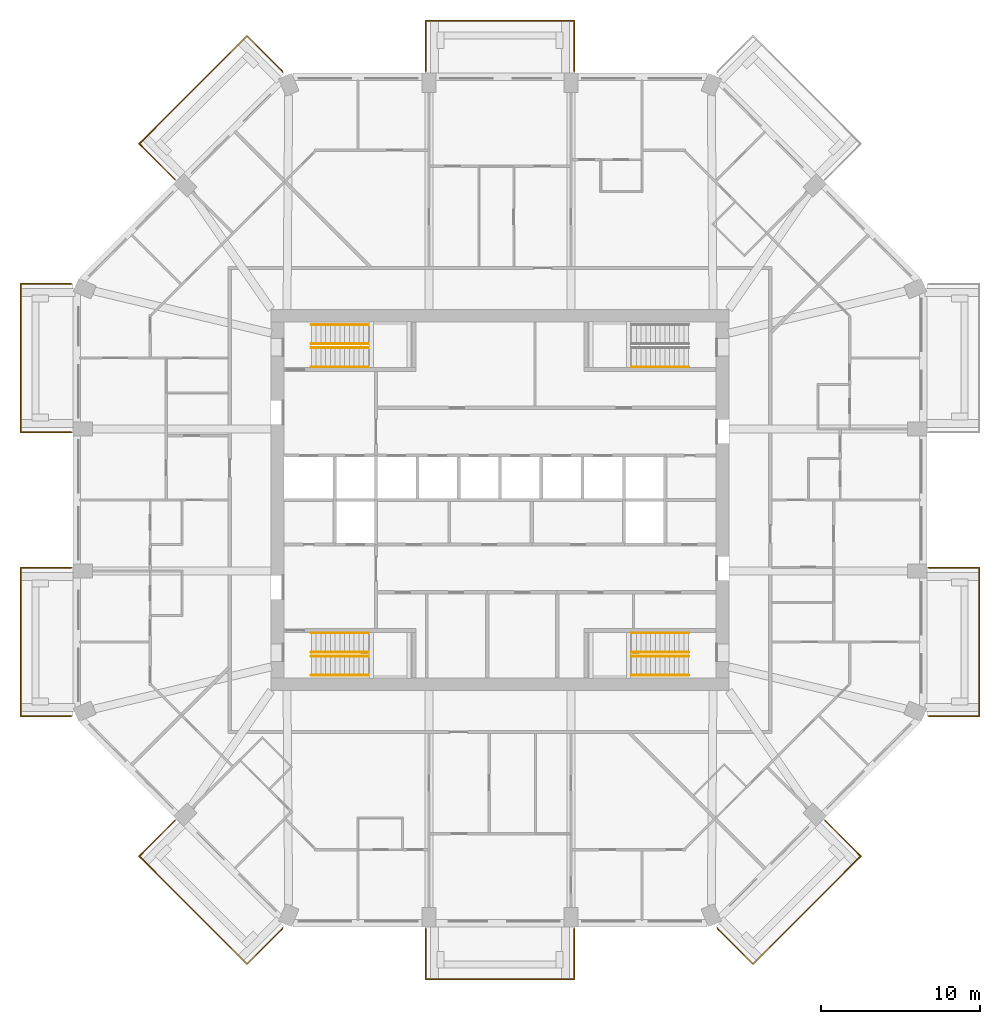
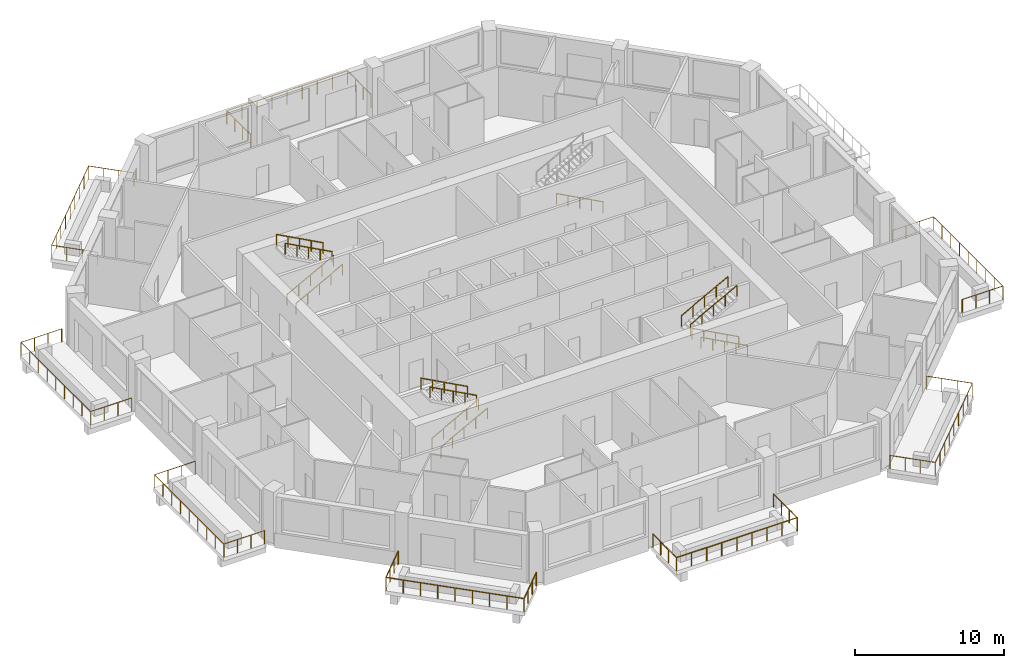
# One storey, part 12 of 13: 21 railings.
"""IFC4 building model written with IfcOpenShell, lengths in metres."""

from ifc_helpers import new_model, si_unit, direction, frame, origin, origin_2d, place, context, subcontext, project, spatial, circle, extrude, material, constituent, constituent_set, type_object, element, save


model = new_model("IFC4")

# Units and contexts
model_context = context("Model", 3, precision=1e-05, world=origin(), true_north=direction((0.0, 1.0)))
body_context = subcontext(model_context, "Body", "Model", "MODEL_VIEW")
ifc_project = project(units=[si_unit("LENGTHUNIT", "METRE"), si_unit("AREAUNIT", "SQUARE_METRE"), si_unit("VOLUMEUNIT", "CUBIC_METRE"), si_unit("PLANEANGLEUNIT", "RADIAN"), si_unit("MASSUNIT", "GRAM", prefix="KILO")], contexts=[model_context])

# Site, building, storey
site_placement = place(None, origin())
site = spatial("IfcSite", under=ifc_project, at=site_placement, CompositionType="ELEMENT")
building_placement = place(site_placement, origin())
building = spatial("IfcBuilding", under=site, at=building_placement, Name="Msitu Wima Residences", CompositionType="ELEMENT")
storey_placement = place(building_placement, frame((0.0, 0.0, 135.89990234375)))
storey = spatial("IfcBuildingStorey", under=building, at=storey_placement, Name="L31", CompositionType="ELEMENT", Elevation=135.89990234375)

# Railings
ifc_material_1 = material(Name="Steel S355", Category="steel")
ifc_constituent_1 = constituent(ifc_material_1, Name="Steel S355")
ifc_material_2 = material(Name="Weathering patina")
ifc_constituent_2 = constituent(ifc_material_2, Name="Weathering patina")
ifc_constituent_set_1 = constituent_set(constituents=[ifc_constituent_1, ifc_constituent_2], Name="Steel S355")
railing_type_1 = type_object("IfcRailingType", Name="Balcony guard GR1100", PredefinedType="GUARDRAIL", material=ifc_constituent_set_1)
railing_1_placement = place(storey_placement, frame((26.97998046875, -4.2685546875, 0.0)))
element("IfcRailing", 1, at=railing_1_placement, inside=storey, type_object=railing_type_1, Name="Balcony guard E0 L31", PredefinedType="GUARDRAIL", context=body_context, shape_type="SweptSolid", body=[
    extrude(circle(Radius=0.02392578125, at=origin_2d()), frame((0.0, 0.0, 1.076171875), z_axis=(1.0, 0.0, 0.0), x_axis=(0.0, 1.0, 0.0)), (0.0, 0.0, 1.0), 3.169921875),
    extrude(circle(Radius=0.02392578125, at=origin_2d()), frame((3.169921875, 0.0, 1.076171875), z_axis=(0.0, -1.0, 0.0), x_axis=(1.0, 0.0, 0.0)), (0.0, 0.0, 1.0), 9.33740234375),
    extrude(circle(Radius=0.02392578125, at=origin_2d()), frame((3.169921875, -9.33740234375, 1.076171875), z_axis=(-1.0, 0.0, 0.0), x_axis=(0.0, -1.0, 0.0)), (0.0, 0.0, 1.0), 3.136474609375),
    extrude(circle(Radius=0.02392578125, at=origin_2d()), frame((0.033447265625, -9.33740234375, 1.076171875), z_axis=(-0.923276184907, 0.384136806859, 0.0), x_axis=(-0.384136806859, -0.923276184907, 0.0)), (0.0, 0.0, 1.0), 0.0361328125),
    extrude(circle(Radius=0.02099609375, at=origin_2d()), origin(), (0.0, 0.0, 1.0), 1.052001953125),
    extrude(circle(Radius=0.02099609375, at=origin_2d()), frame((1.056640625, 0.0, 0.0)), (0.0, 0.0, 1.0), 1.052001953125),
    extrude(circle(Radius=0.02099609375, at=origin_2d()), frame((2.11328125, 0.0, 0.0)), (0.0, 0.0, 1.0), 1.052001953125),
    extrude(circle(Radius=0.02099609375, at=origin_2d()), frame((3.169921875, 0.0, 0.0)), (0.0, 0.0, 1.0), 1.052001953125),
    extrude(circle(Radius=0.02099609375, at=origin_2d()), frame((3.169921875, -1.167236328125, 0.0)), (0.0, 0.0, 1.0), 1.052001953125),
    extrude(circle(Radius=0.02099609375, at=origin_2d()), frame((3.169921875, -2.33447265625, 0.0)), (0.0, 0.0, 1.0), 1.052001953125),
    extrude(circle(Radius=0.02099609375, at=origin_2d()), frame((3.169921875, -3.50146484375, 0.0)), (0.0, 0.0, 1.0), 1.052001953125),
    extrude(circle(Radius=0.02099609375, at=origin_2d()), frame((3.169921875, -4.668701171875, 0.0)), (0.0, 0.0, 1.0), 1.052001953125),
    extrude(circle(Radius=0.02099609375, at=origin_2d()), frame((3.169921875, -5.8359375, 0.0)), (0.0, 0.0, 1.0), 1.052001953125),
    extrude(circle(Radius=0.02099609375, at=origin_2d()), frame((3.169921875, -7.0029296875, 0.0)), (0.0, 0.0, 1.0), 1.052001953125),
    extrude(circle(Radius=0.02099609375, at=origin_2d()), frame((3.169921875, -8.170166015625, 0.0)), (0.0, 0.0, 1.0), 1.052001953125),
    extrude(circle(Radius=0.02099609375, at=origin_2d()), frame((3.169921875, -9.33740234375, 0.0)), (0.0, 0.0, 1.0), 1.052001953125),
    extrude(circle(Radius=0.02099609375, at=origin_2d()), frame((2.12451171875, -9.33740234375, 0.0)), (0.0, 0.0, 1.0), 1.052001953125),
    extrude(circle(Radius=0.02099609375, at=origin_2d()), frame((1.078857421875, -9.33740234375, 0.0)), (0.0, 0.0, 1.0), 1.052001953125),
    extrude(circle(Radius=0.02099609375, at=origin_2d()), frame((0.033447265625, -9.33740234375, 0.0)), (0.0, 0.0, 1.0), 1.052001953125),
    extrude(circle(Radius=0.02099609375, at=origin_2d()), frame((0.0, -9.323486328125, 0.0)), (0.0, 0.0, 1.0), 1.052001953125),
])
railing_2_placement = place(storey_placement, frame((-4.668701171875, 26.97998046875, 0.0)))
element("IfcRailing", 2, at=railing_2_placement, inside=storey, type_object=railing_type_1, Name="Balcony guard N1 L31", PredefinedType="GUARDRAIL", context=body_context, shape_type="SweptSolid", body=[
    extrude(circle(Radius=0.02392578125, at=origin_2d()), frame((0.0, 0.0, 1.076171875), z_axis=(0.0, 1.0, 0.0), x_axis=(-1.0, 0.0, 0.0)), (0.0, 0.0, 1.0), 3.169921875),
    extrude(circle(Radius=0.02392578125, at=origin_2d()), frame((0.0, 3.169921875, 1.076171875), z_axis=(1.0, 0.0, 0.0), x_axis=(0.0, 1.0, 0.0)), (0.0, 0.0, 1.0), 9.33740234375),
    extrude(circle(Radius=0.02392578125, at=origin_2d()), frame((9.33740234375, 3.169921875, 1.076171875), z_axis=(0.0, -1.0, 0.0), x_axis=(1.0, 0.0, 0.0)), (0.0, 0.0, 1.0), 3.169921875),
    extrude(circle(Radius=0.02099609375, at=origin_2d()), origin(), (0.0, 0.0, 1.0), 1.052001953125),
    extrude(circle(Radius=0.02099609375, at=origin_2d()), frame((0.0, 1.056640625, 0.0)), (0.0, 0.0, 1.0), 1.052001953125),
    extrude(circle(Radius=0.02099609375, at=origin_2d()), frame((0.0, 2.11328125, 0.0)), (0.0, 0.0, 1.0), 1.052001953125),
    extrude(circle(Radius=0.02099609375, at=origin_2d()), frame((0.0, 3.169921875, 0.0)), (0.0, 0.0, 1.0), 1.052001953125),
    extrude(circle(Radius=0.02099609375, at=origin_2d()), frame((1.167236328125, 3.169921875, 0.0)), (0.0, 0.0, 1.0), 1.052001953125),
    extrude(circle(Radius=0.02099609375, at=origin_2d()), frame((2.33447265625, 3.169921875, 0.0)), (0.0, 0.0, 1.0), 1.052001953125),
    extrude(circle(Radius=0.02099609375, at=origin_2d()), frame((3.50146484375, 3.169921875, 0.0)), (0.0, 0.0, 1.0), 1.052001953125),
    extrude(circle(Radius=0.02099609375, at=origin_2d()), frame((4.668701171875, 3.169921875, 0.0)), (0.0, 0.0, 1.0), 1.052001953125),
    extrude(circle(Radius=0.02099609375, at=origin_2d()), frame((5.8359375, 3.169921875, 0.0)), (0.0, 0.0, 1.0), 1.052001953125),
    extrude(circle(Radius=0.02099609375, at=origin_2d()), frame((7.0029296875, 3.169921875, 0.0)), (0.0, 0.0, 1.0), 1.052001953125),
    extrude(circle(Radius=0.02099609375, at=origin_2d()), frame((8.170166015625, 3.169921875, 0.0)), (0.0, 0.0, 1.0), 1.052001953125),
    extrude(circle(Radius=0.02099609375, at=origin_2d()), frame((9.33740234375, 3.169921875, 0.0)), (0.0, 0.0, 1.0), 1.052001953125),
    extrude(circle(Radius=0.02099609375, at=origin_2d()), frame((9.33740234375, 2.11328125, 0.0)), (0.0, 0.0, 1.0), 1.052001953125),
    extrude(circle(Radius=0.02099609375, at=origin_2d()), frame((9.33740234375, 1.056640625, 0.0)), (0.0, 0.0, 1.0), 1.052001953125),
    extrude(circle(Radius=0.02099609375, at=origin_2d()), frame((9.33740234375, 0.0, 0.0)), (0.0, 0.0, 1.0), 1.052001953125),
])
railing_3_placement = place(storey_placement, frame((-20.45458984375, 20.171630859375, 0.0)))
element("IfcRailing", 3, at=railing_3_placement, inside=storey, type_object=railing_type_1, Name="Balcony guard NW0 L31", PredefinedType="GUARDRAIL", context=body_context, shape_type="SweptSolid", body=[
    extrude(circle(Radius=0.02392578125, at=origin_2d()), frame((0.0, 0.0, 1.076171875), z_axis=(-0.707106781187, 0.707106781187, 0.0), x_axis=(-0.707106781187, -0.707106781187, 0.0)), (0.0, 0.0, 1.0), 3.169921875),
    extrude(circle(Radius=0.02392578125, at=origin_2d()), frame((-2.241455078125, 2.241455078125, 1.076171875), z_axis=(0.707106781187, 0.707106781187, 0.0), x_axis=(-0.707106781187, 0.707106781187, 0.0)), (0.0, 0.0, 1.0), 9.58837890625),
    extrude(circle(Radius=0.02392578125, at=origin_2d()), frame((4.53857421875, 9.021484375, 1.076171875), z_axis=(0.707106781187, -0.707106781187, 0.0), x_axis=(0.707106781187, 0.707106781187, 0.0)), (0.0, 0.0, 1.0), 3.136474609375),
    extrude(circle(Radius=0.02392578125, at=origin_2d()), frame((6.75634765625, 6.8037109375, 1.076171875), z_axis=(0.38176015442, -0.92426142649, 0.0), x_axis=(0.92426142649, 0.38176015442, 0.0)), (0.0, 0.0, 1.0), 0.036376953125),
    extrude(circle(Radius=0.02099609375, at=origin_2d()), origin(), (0.0, 0.0, 1.0), 1.052001953125),
    extrude(circle(Radius=0.02099609375, at=origin_2d()), frame((-0.7470703125, 0.7470703125, 0.0)), (0.0, 0.0, 1.0), 1.052001953125),
    extrude(circle(Radius=0.02099609375, at=origin_2d()), frame((-1.494384765625, 1.494384765625, 0.0)), (0.0, 0.0, 1.0), 1.052001953125),
    extrude(circle(Radius=0.02099609375, at=origin_2d()), frame((-2.241455078125, 2.241455078125, 0.0)), (0.0, 0.0, 1.0), 1.052001953125),
    extrude(circle(Radius=0.02099609375, at=origin_2d()), frame((-1.39404296875, 3.0888671875, 0.0)), (0.0, 0.0, 1.0), 1.052001953125),
    extrude(circle(Radius=0.02099609375, at=origin_2d()), frame((-0.54638671875, 3.9365234375, 0.0)), (0.0, 0.0, 1.0), 1.052001953125),
    extrude(circle(Radius=0.02099609375, at=origin_2d()), frame((0.301025390625, 4.783935546875, 0.0)), (0.0, 0.0, 1.0), 1.052001953125),
    extrude(circle(Radius=0.02099609375, at=origin_2d()), frame((1.1484375, 5.63134765625, 0.0)), (0.0, 0.0, 1.0), 1.052001953125),
    extrude(circle(Radius=0.02099609375, at=origin_2d()), frame((1.99609375, 6.47900390625, 0.0)), (0.0, 0.0, 1.0), 1.052001953125),
    extrude(circle(Radius=0.02099609375, at=origin_2d()), frame((2.843505859375, 7.326416015625, 0.0)), (0.0, 0.0, 1.0), 1.052001953125),
    extrude(circle(Radius=0.02099609375, at=origin_2d()), frame((3.691162109375, 8.174072265625, 0.0)), (0.0, 0.0, 1.0), 1.052001953125),
    extrude(circle(Radius=0.02099609375, at=origin_2d()), frame((4.53857421875, 9.021484375, 0.0)), (0.0, 0.0, 1.0), 1.052001953125),
    extrude(circle(Radius=0.02099609375, at=origin_2d()), frame((5.27783203125, 8.2822265625, 0.0)), (0.0, 0.0, 1.0), 1.052001953125),
    extrude(circle(Radius=0.02099609375, at=origin_2d()), frame((6.01708984375, 7.54296875, 0.0)), (0.0, 0.0, 1.0), 1.052001953125),
    extrude(circle(Radius=0.02099609375, at=origin_2d()), frame((6.75634765625, 6.8037109375, 0.0)), (0.0, 0.0, 1.0), 1.052001953125),
    extrude(circle(Radius=0.02099609375, at=origin_2d()), frame((6.770263671875, 6.77001953125, 0.0)), (0.0, 0.0, 1.0), 1.052001953125),
])
railing_4_placement = place(storey_placement, frame((-26.97998046875, 4.2685546875, 0.0)))
element("IfcRailing", 4, at=railing_4_placement, inside=storey, type_object=railing_type_1, Name="Balcony guard W0 L31", PredefinedType="GUARDRAIL", context=body_context, shape_type="SweptSolid", body=[
    extrude(circle(Radius=0.02392578125, at=origin_2d()), frame((0.0, 0.0, 1.076171875), z_axis=(-1.0, 0.0, 0.0), x_axis=(0.0, -1.0, 0.0)), (0.0, 0.0, 1.0), 3.169921875),
    extrude(circle(Radius=0.02392578125, at=origin_2d()), frame((-3.169921875, 0.0, 1.076171875), z_axis=(0.0, 1.0, 0.0), x_axis=(-1.0, 0.0, 0.0)), (0.0, 0.0, 1.0), 9.33740234375),
    extrude(circle(Radius=0.02392578125, at=origin_2d()), frame((-3.169921875, 9.33740234375, 1.076171875), z_axis=(1.0, 0.0, 0.0), x_axis=(0.0, 1.0, 0.0)), (0.0, 0.0, 1.0), 3.136474609375),
    extrude(circle(Radius=0.02392578125, at=origin_2d()), frame((-0.033447265625, 9.33740234375, 1.076171875), z_axis=(0.923276184907, -0.384136806859, 0.0), x_axis=(0.384136806859, 0.923276184907, 0.0)), (0.0, 0.0, 1.0), 0.0361328125),
    extrude(circle(Radius=0.02099609375, at=origin_2d()), origin(), (0.0, 0.0, 1.0), 1.052001953125),
    extrude(circle(Radius=0.02099609375, at=origin_2d()), frame((-1.056640625, 0.0, 0.0)), (0.0, 0.0, 1.0), 1.052001953125),
    extrude(circle(Radius=0.02099609375, at=origin_2d()), frame((-2.11328125, 0.0, 0.0)), (0.0, 0.0, 1.0), 1.052001953125),
    extrude(circle(Radius=0.02099609375, at=origin_2d()), frame((-3.169921875, 0.0, 0.0)), (0.0, 0.0, 1.0), 1.052001953125),
    extrude(circle(Radius=0.02099609375, at=origin_2d()), frame((-3.169921875, 1.167236328125, 0.0)), (0.0, 0.0, 1.0), 1.052001953125),
    extrude(circle(Radius=0.02099609375, at=origin_2d()), frame((-3.169921875, 2.33447265625, 0.0)), (0.0, 0.0, 1.0), 1.052001953125),
    extrude(circle(Radius=0.02099609375, at=origin_2d()), frame((-3.169921875, 3.50146484375, 0.0)), (0.0, 0.0, 1.0), 1.052001953125),
    extrude(circle(Radius=0.02099609375, at=origin_2d()), frame((-3.169921875, 4.668701171875, 0.0)), (0.0, 0.0, 1.0), 1.052001953125),
    extrude(circle(Radius=0.02099609375, at=origin_2d()), frame((-3.169921875, 5.8359375, 0.0)), (0.0, 0.0, 1.0), 1.052001953125),
    extrude(circle(Radius=0.02099609375, at=origin_2d()), frame((-3.169921875, 7.0029296875, 0.0)), (0.0, 0.0, 1.0), 1.052001953125),
    extrude(circle(Radius=0.02099609375, at=origin_2d()), frame((-3.169921875, 8.170166015625, 0.0)), (0.0, 0.0, 1.0), 1.052001953125),
    extrude(circle(Radius=0.02099609375, at=origin_2d()), frame((-3.169921875, 9.33740234375, 0.0)), (0.0, 0.0, 1.0), 1.052001953125),
    extrude(circle(Radius=0.02099609375, at=origin_2d()), frame((-2.12451171875, 9.33740234375, 0.0)), (0.0, 0.0, 1.0), 1.052001953125),
    extrude(circle(Radius=0.02099609375, at=origin_2d()), frame((-1.078857421875, 9.33740234375, 0.0)), (0.0, 0.0, 1.0), 1.052001953125),
    extrude(circle(Radius=0.02099609375, at=origin_2d()), frame((-0.033447265625, 9.33740234375, 0.0)), (0.0, 0.0, 1.0), 1.052001953125),
    extrude(circle(Radius=0.02099609375, at=origin_2d()), frame((0.0, 9.323486328125, 0.0)), (0.0, 0.0, 1.0), 1.052001953125),
])
railing_5_placement = place(storey_placement, frame((-26.97998046875, -13.592041015625, 0.0)))
element("IfcRailing", 5, at=railing_5_placement, inside=storey, type_object=railing_type_1, Name="Balcony guard W2 L31", PredefinedType="GUARDRAIL", context=body_context, shape_type="SweptSolid", body=[
    extrude(circle(Radius=0.02392578125, at=origin_2d()), frame((0.0, 0.0, 1.076171875), z_axis=(-0.923276184907, -0.384136806859, 0.0), x_axis=(0.384136806859, -0.923276184907, 0.0)), (0.0, 0.0, 1.0), 0.0361328125),
    extrude(circle(Radius=0.02392578125, at=origin_2d()), frame((-0.033447265625, -0.013916015625, 1.076171875), z_axis=(-1.0, 0.0, 0.0), x_axis=(0.0, -1.0, 0.0)), (0.0, 0.0, 1.0), 3.136474609375),
    extrude(circle(Radius=0.02392578125, at=origin_2d()), frame((-3.169921875, -0.013916015625, 1.076171875), z_axis=(0.0, 1.0, 0.0), x_axis=(-1.0, 0.0, 0.0)), (0.0, 0.0, 1.0), 9.33740234375),
    extrude(circle(Radius=0.02392578125, at=origin_2d()), frame((-3.169921875, 9.323486328125, 1.076171875), z_axis=(1.0, 0.0, 0.0), x_axis=(0.0, 1.0, 0.0)), (0.0, 0.0, 1.0), 3.169921875),
    extrude(circle(Radius=0.02099609375, at=origin_2d()), origin(), (0.0, 0.0, 1.0), 1.052001953125),
    extrude(circle(Radius=0.02099609375, at=origin_2d()), frame((-0.033447265625, -0.013916015625, 0.0)), (0.0, 0.0, 1.0), 1.052001953125),
    extrude(circle(Radius=0.02099609375, at=origin_2d()), frame((-1.078857421875, -0.013916015625, 0.0)), (0.0, 0.0, 1.0), 1.052001953125),
    extrude(circle(Radius=0.02099609375, at=origin_2d()), frame((-2.12451171875, -0.013916015625, 0.0)), (0.0, 0.0, 1.0), 1.052001953125),
    extrude(circle(Radius=0.02099609375, at=origin_2d()), frame((-3.169921875, -0.013916015625, 0.0)), (0.0, 0.0, 1.0), 1.052001953125),
    extrude(circle(Radius=0.02099609375, at=origin_2d()), frame((-3.169921875, 1.1533203125, 0.0)), (0.0, 0.0, 1.0), 1.052001953125),
    extrude(circle(Radius=0.02099609375, at=origin_2d()), frame((-3.169921875, 2.3203125, 0.0)), (0.0, 0.0, 1.0), 1.052001953125),
    extrude(circle(Radius=0.02099609375, at=origin_2d()), frame((-3.169921875, 3.487548828125, 0.0)), (0.0, 0.0, 1.0), 1.052001953125),
    extrude(circle(Radius=0.02099609375, at=origin_2d()), frame((-3.169921875, 4.65478515625, 0.0)), (0.0, 0.0, 1.0), 1.052001953125),
    extrude(circle(Radius=0.02099609375, at=origin_2d()), frame((-3.169921875, 5.822021484375, 0.0)), (0.0, 0.0, 1.0), 1.052001953125),
    extrude(circle(Radius=0.02099609375, at=origin_2d()), frame((-3.169921875, 6.9892578125, 0.0)), (0.0, 0.0, 1.0), 1.052001953125),
    extrude(circle(Radius=0.02099609375, at=origin_2d()), frame((-3.169921875, 8.15625, 0.0)), (0.0, 0.0, 1.0), 1.052001953125),
    extrude(circle(Radius=0.02099609375, at=origin_2d()), frame((-3.169921875, 9.323486328125, 0.0)), (0.0, 0.0, 1.0), 1.052001953125),
    extrude(circle(Radius=0.02099609375, at=origin_2d()), frame((-2.11328125, 9.323486328125, 0.0)), (0.0, 0.0, 1.0), 1.052001953125),
    extrude(circle(Radius=0.02099609375, at=origin_2d()), frame((-1.056640625, 9.323486328125, 0.0)), (0.0, 0.0, 1.0), 1.052001953125),
    extrude(circle(Radius=0.02099609375, at=origin_2d()), frame((0.0, 9.323486328125, 0.0)), (0.0, 0.0, 1.0), 1.052001953125),
])
railing_6_placement = place(storey_placement, frame((-13.684326171875, -26.941650390625, 0.0)))
element("IfcRailing", 6, at=railing_6_placement, inside=storey, type_object=railing_type_1, Name="Balcony guard SW1 L31", PredefinedType="GUARDRAIL", context=body_context, shape_type="SweptSolid", body=[
    extrude(circle(Radius=0.02392578125, at=origin_2d()), frame((0.0, 0.0, 1.076171875), z_axis=(-0.38176015442, -0.92426142649, 0.0), x_axis=(0.92426142649, -0.38176015442, 0.0)), (0.0, 0.0, 1.0), 0.036376953125),
    extrude(circle(Radius=0.02392578125, at=origin_2d()), frame((-0.013916015625, -0.03369140625, 1.076171875), z_axis=(-0.707106781187, -0.707106781187, 0.0), x_axis=(0.707106781187, -0.707106781187, 0.0)), (0.0, 0.0, 1.0), 3.136474609375),
    extrude(circle(Radius=0.02392578125, at=origin_2d()), frame((-2.231689453125, -2.25146484375, 1.076171875), z_axis=(-0.707106781187, 0.707106781187, 0.0), x_axis=(-0.707106781187, -0.707106781187, 0.0)), (0.0, 0.0, 1.0), 9.58837890625),
    extrude(circle(Radius=0.02392578125, at=origin_2d()), frame((-9.01171875, 4.528564453125, 1.076171875), z_axis=(0.707106781187, 0.707106781187, 0.0), x_axis=(-0.707106781187, 0.707106781187, 0.0)), (0.0, 0.0, 1.0), 3.169921875),
    extrude(circle(Radius=0.02099609375, at=origin_2d()), origin(), (0.0, 0.0, 1.0), 1.052001953125),
    extrude(circle(Radius=0.02099609375, at=origin_2d()), frame((-0.013916015625, -0.03369140625, 0.0)), (0.0, 0.0, 1.0), 1.052001953125),
    extrude(circle(Radius=0.02099609375, at=origin_2d()), frame((-0.753173828125, -0.77294921875, 0.0)), (0.0, 0.0, 1.0), 1.052001953125),
    extrude(circle(Radius=0.02099609375, at=origin_2d()), frame((-1.492431640625, -1.51220703125, 0.0)), (0.0, 0.0, 1.0), 1.052001953125),
    extrude(circle(Radius=0.02099609375, at=origin_2d()), frame((-2.231689453125, -2.25146484375, 0.0)), (0.0, 0.0, 1.0), 1.052001953125),
    extrude(circle(Radius=0.02099609375, at=origin_2d()), frame((-3.0791015625, -1.404052734375, 0.0)), (0.0, 0.0, 1.0), 1.052001953125),
    extrude(circle(Radius=0.02099609375, at=origin_2d()), frame((-3.9267578125, -0.556396484375, 0.0)), (0.0, 0.0, 1.0), 1.052001953125),
    extrude(circle(Radius=0.02099609375, at=origin_2d()), frame((-4.774169921875, 0.291015625, 0.0)), (0.0, 0.0, 1.0), 1.052001953125),
    extrude(circle(Radius=0.02099609375, at=origin_2d()), frame((-5.62158203125, 1.138671875, 0.0)), (0.0, 0.0, 1.0), 1.052001953125),
    extrude(circle(Radius=0.02099609375, at=origin_2d()), frame((-6.46923828125, 1.986083984375, 0.0)), (0.0, 0.0, 1.0), 1.052001953125),
    extrude(circle(Radius=0.02099609375, at=origin_2d()), frame((-7.316650390625, 2.83349609375, 0.0)), (0.0, 0.0, 1.0), 1.052001953125),
    extrude(circle(Radius=0.02099609375, at=origin_2d()), frame((-8.164306640625, 3.68115234375, 0.0)), (0.0, 0.0, 1.0), 1.052001953125),
    extrude(circle(Radius=0.02099609375, at=origin_2d()), frame((-9.01171875, 4.528564453125, 0.0)), (0.0, 0.0, 1.0), 1.052001953125),
    extrude(circle(Radius=0.02099609375, at=origin_2d()), frame((-8.2646484375, 5.275634765625, 0.0)), (0.0, 0.0, 1.0), 1.052001953125),
    extrude(circle(Radius=0.02099609375, at=origin_2d()), frame((-7.517333984375, 6.02294921875, 0.0)), (0.0, 0.0, 1.0), 1.052001953125),
    extrude(circle(Radius=0.02099609375, at=origin_2d()), frame((-6.770263671875, 6.77001953125, 0.0)), (0.0, 0.0, 1.0), 1.052001953125),
])
railing_7_placement = place(storey_placement, frame((4.668701171875, -26.97998046875, 0.0)))
element("IfcRailing", 7, at=railing_7_placement, inside=storey, type_object=railing_type_1, Name="Balcony guard S1 L31", PredefinedType="GUARDRAIL", context=body_context, shape_type="SweptSolid", body=[
    extrude(circle(Radius=0.02392578125, at=origin_2d()), frame((0.0, 0.0, 1.076171875), z_axis=(0.0, -1.0, 0.0), x_axis=(1.0, 0.0, 0.0)), (0.0, 0.0, 1.0), 3.169921875),
    extrude(circle(Radius=0.02392578125, at=origin_2d()), frame((0.0, -3.169921875, 1.076171875), z_axis=(-1.0, 0.0, 0.0), x_axis=(0.0, -1.0, 0.0)), (0.0, 0.0, 1.0), 9.33740234375),
    extrude(circle(Radius=0.02392578125, at=origin_2d()), frame((-9.33740234375, -3.169921875, 1.076171875), z_axis=(0.0, 1.0, 0.0), x_axis=(-1.0, 0.0, 0.0)), (0.0, 0.0, 1.0), 3.169921875),
    extrude(circle(Radius=0.02099609375, at=origin_2d()), origin(), (0.0, 0.0, 1.0), 1.052001953125),
    extrude(circle(Radius=0.02099609375, at=origin_2d()), frame((0.0, -1.056640625, 0.0)), (0.0, 0.0, 1.0), 1.052001953125),
    extrude(circle(Radius=0.02099609375, at=origin_2d()), frame((0.0, -2.11328125, 0.0)), (0.0, 0.0, 1.0), 1.052001953125),
    extrude(circle(Radius=0.02099609375, at=origin_2d()), frame((0.0, -3.169921875, 0.0)), (0.0, 0.0, 1.0), 1.052001953125),
    extrude(circle(Radius=0.02099609375, at=origin_2d()), frame((-1.167236328125, -3.169921875, 0.0)), (0.0, 0.0, 1.0), 1.052001953125),
    extrude(circle(Radius=0.02099609375, at=origin_2d()), frame((-2.33447265625, -3.169921875, 0.0)), (0.0, 0.0, 1.0), 1.052001953125),
    extrude(circle(Radius=0.02099609375, at=origin_2d()), frame((-3.50146484375, -3.169921875, 0.0)), (0.0, 0.0, 1.0), 1.052001953125),
    extrude(circle(Radius=0.02099609375, at=origin_2d()), frame((-4.668701171875, -3.169921875, 0.0)), (0.0, 0.0, 1.0), 1.052001953125),
    extrude(circle(Radius=0.02099609375, at=origin_2d()), frame((-5.8359375, -3.169921875, 0.0)), (0.0, 0.0, 1.0), 1.052001953125),
    extrude(circle(Radius=0.02099609375, at=origin_2d()), frame((-7.0029296875, -3.169921875, 0.0)), (0.0, 0.0, 1.0), 1.052001953125),
    extrude(circle(Radius=0.02099609375, at=origin_2d()), frame((-8.170166015625, -3.169921875, 0.0)), (0.0, 0.0, 1.0), 1.052001953125),
    extrude(circle(Radius=0.02099609375, at=origin_2d()), frame((-9.33740234375, -3.169921875, 0.0)), (0.0, 0.0, 1.0), 1.052001953125),
    extrude(circle(Radius=0.02099609375, at=origin_2d()), frame((-9.33740234375, -2.11328125, 0.0)), (0.0, 0.0, 1.0), 1.052001953125),
    extrude(circle(Radius=0.02099609375, at=origin_2d()), frame((-9.33740234375, -1.056640625, 0.0)), (0.0, 0.0, 1.0), 1.052001953125),
    extrude(circle(Radius=0.02099609375, at=origin_2d()), frame((-9.33740234375, 0.0, 0.0)), (0.0, 0.0, 1.0), 1.052001953125),
])
railing_8_placement = place(storey_placement, frame((20.45458984375, -20.171630859375, 0.0)))
element("IfcRailing", 8, at=railing_8_placement, inside=storey, type_object=railing_type_1, Name="Balcony guard SE0 L31", PredefinedType="GUARDRAIL", context=body_context, shape_type="SweptSolid", body=[
    extrude(circle(Radius=0.02392578125, at=origin_2d()), frame((0.0, 0.0, 1.076171875), z_axis=(0.707106781187, -0.707106781187, 0.0), x_axis=(0.707106781187, 0.707106781187, 0.0)), (0.0, 0.0, 1.0), 3.169921875),
    extrude(circle(Radius=0.02392578125, at=origin_2d()), frame((2.241455078125, -2.241455078125, 1.076171875), z_axis=(-0.707106781187, -0.707106781187, 0.0), x_axis=(0.707106781187, -0.707106781187, 0.0)), (0.0, 0.0, 1.0), 9.58837890625),
    extrude(circle(Radius=0.02392578125, at=origin_2d()), frame((-4.53857421875, -9.021484375, 1.076171875), z_axis=(-0.707106781187, 0.707106781187, 0.0), x_axis=(-0.707106781187, -0.707106781187, 0.0)), (0.0, 0.0, 1.0), 3.136474609375),
    extrude(circle(Radius=0.02392578125, at=origin_2d()), frame((-6.75634765625, -6.8037109375, 1.076171875), z_axis=(-0.38176015442, 0.92426142649, 0.0), x_axis=(-0.92426142649, -0.38176015442, 0.0)), (0.0, 0.0, 1.0), 0.036376953125),
    extrude(circle(Radius=0.02099609375, at=origin_2d()), origin(), (0.0, 0.0, 1.0), 1.052001953125),
    extrude(circle(Radius=0.02099609375, at=origin_2d()), frame((0.7470703125, -0.7470703125, 0.0)), (0.0, 0.0, 1.0), 1.052001953125),
    extrude(circle(Radius=0.02099609375, at=origin_2d()), frame((1.494384765625, -1.494384765625, 0.0)), (0.0, 0.0, 1.0), 1.052001953125),
    extrude(circle(Radius=0.02099609375, at=origin_2d()), frame((2.241455078125, -2.241455078125, 0.0)), (0.0, 0.0, 1.0), 1.052001953125),
    extrude(circle(Radius=0.02099609375, at=origin_2d()), frame((1.39404296875, -3.0888671875, 0.0)), (0.0, 0.0, 1.0), 1.052001953125),
    extrude(circle(Radius=0.02099609375, at=origin_2d()), frame((0.54638671875, -3.9365234375, 0.0)), (0.0, 0.0, 1.0), 1.052001953125),
    extrude(circle(Radius=0.02099609375, at=origin_2d()), frame((-0.301025390625, -4.783935546875, 0.0)), (0.0, 0.0, 1.0), 1.052001953125),
    extrude(circle(Radius=0.02099609375, at=origin_2d()), frame((-1.1484375, -5.63134765625, 0.0)), (0.0, 0.0, 1.0), 1.052001953125),
    extrude(circle(Radius=0.02099609375, at=origin_2d()), frame((-1.99609375, -6.47900390625, 0.0)), (0.0, 0.0, 1.0), 1.052001953125),
    extrude(circle(Radius=0.02099609375, at=origin_2d()), frame((-2.843505859375, -7.326416015625, 0.0)), (0.0, 0.0, 1.0), 1.052001953125),
    extrude(circle(Radius=0.02099609375, at=origin_2d()), frame((-3.691162109375, -8.174072265625, 0.0)), (0.0, 0.0, 1.0), 1.052001953125),
    extrude(circle(Radius=0.02099609375, at=origin_2d()), frame((-4.53857421875, -9.021484375, 0.0)), (0.0, 0.0, 1.0), 1.052001953125),
    extrude(circle(Radius=0.02099609375, at=origin_2d()), frame((-5.27783203125, -8.2822265625, 0.0)), (0.0, 0.0, 1.0), 1.052001953125),
    extrude(circle(Radius=0.02099609375, at=origin_2d()), frame((-6.01708984375, -7.54296875, 0.0)), (0.0, 0.0, 1.0), 1.052001953125),
    extrude(circle(Radius=0.02099609375, at=origin_2d()), frame((-6.75634765625, -6.8037109375, 0.0)), (0.0, 0.0, 1.0), 1.052001953125),
    extrude(circle(Radius=0.02099609375, at=origin_2d()), frame((-6.770263671875, -6.77001953125, 0.0)), (0.0, 0.0, 1.0), 1.052001953125),
])
ifc_constituent_3 = constituent(ifc_material_1, Name="Steel S355")
ifc_material_3 = material(Name="Black powder coating")
ifc_constituent_4 = constituent(ifc_material_3, Name="Black powder coating")
ifc_constituent_set_2 = constituent_set(constituents=[ifc_constituent_3, ifc_constituent_4], Name="Steel S355")
railing_type_2 = type_object("IfcRailingType", Name="Stair handrail HR1", PredefinedType="HANDRAIL", material=ifc_constituent_set_2)
for number, where, name in (
    (9, (-11.875, 8.375, 0.16162109375), "Stair 1 handrail"),
    (10, (-11.875, 9.574951171875, 0.16162109375), "Stair 1 handrail"),
):
    element("IfcRailing", number, at=place(storey_placement, frame(where)), inside=storey, type_object=railing_type_2, Name=name, PredefinedType="HANDRAIL", context=body_context, shape_type="SweptSolid", body=[
        extrude(circle(Radius=0.02392578125, at=origin_2d()), frame((0.0, 0.0, 0.8759765625), z_axis=(0.880474934443, 0.0, 0.474092701714), x_axis=(0.0, 1.0, 0.0)), (0.0, 0.0, 1.0), 4.0888671875),
        extrude(circle(Radius=0.02099609375, at=origin_2d()), origin(), (0.0, 0.0, 1.0), 0.851806640625),
        extrude(circle(Radius=0.02099609375, at=origin_2d()), frame((0.89990234375, 0.0, 0.484619140625)), (0.0, 0.0, 1.0), 0.851806640625),
        extrude(circle(Radius=0.02099609375, at=origin_2d()), frame((1.800048828125, 0.0, 0.96923828125)), (0.0, 0.0, 1.0), 0.851806640625),
        extrude(circle(Radius=0.02099609375, at=origin_2d()), frame((2.7001953125, 0.0, 1.453857421875)), (0.0, 0.0, 1.0), 0.851806640625),
        extrude(circle(Radius=0.02099609375, at=origin_2d()), frame((3.60009765625, 0.0, 1.9384765625)), (0.0, 0.0, 1.0), 0.851806640625),
    ])
for number, where, name in (
    (11, (-8.27490234375, 9.824951171875, 2.26171875), "Stair 1 handrail"),
    (12, (-8.27490234375, 11.02490234375, 2.26171875), "Stair 1 handrail"),
):
    element("IfcRailing", number, at=place(storey_placement, frame(where)), inside=storey, type_object=railing_type_2, Name=name, PredefinedType="HANDRAIL", context=body_context, shape_type="SweptSolid", body=[
        extrude(circle(Radius=0.02392578125, at=origin_2d()), frame((0.0, 0.0, 0.8759765625), z_axis=(-0.880474934443, 0.0, 0.474092701714), x_axis=(0.0, -1.0, 0.0)), (0.0, 0.0, 1.0), 4.0888671875),
        extrude(circle(Radius=0.02099609375, at=origin_2d()), origin(), (0.0, 0.0, 1.0), 0.851806640625),
        extrude(circle(Radius=0.02099609375, at=origin_2d()), frame((-0.89990234375, 0.0, 0.484619140625)), (0.0, 0.0, 1.0), 0.851806640625),
        extrude(circle(Radius=0.02099609375, at=origin_2d()), frame((-1.800048828125, 0.0, 0.96923828125)), (0.0, 0.0, 1.0), 0.851806640625),
        extrude(circle(Radius=0.02099609375, at=origin_2d()), frame((-2.7001953125, 0.0, 1.453857421875)), (0.0, 0.0, 1.0), 0.851806640625),
        extrude(circle(Radius=0.02099609375, at=origin_2d()), frame((-3.60009765625, 0.0, 1.9384765625)), (0.0, 0.0, 1.0), 0.851806640625),
    ])
for number, where, name in (
    (13, (-11.875, -11.02490234375, 0.16162109375), "Stair 2 handrail"),
    (14, (-11.875, -9.824951171875, 0.16162109375), "Stair 2 handrail"),
):
    element("IfcRailing", number, at=place(storey_placement, frame(where)), inside=storey, type_object=railing_type_2, Name=name, PredefinedType="HANDRAIL", context=body_context, shape_type="SweptSolid", body=[
        extrude(circle(Radius=0.02392578125, at=origin_2d()), frame((0.0, 0.0, 0.8759765625), z_axis=(0.880474934443, 0.0, 0.474092701714), x_axis=(0.0, 1.0, 0.0)), (0.0, 0.0, 1.0), 4.0888671875),
        extrude(circle(Radius=0.02099609375, at=origin_2d()), origin(), (0.0, 0.0, 1.0), 0.851806640625),
        extrude(circle(Radius=0.02099609375, at=origin_2d()), frame((0.89990234375, 0.0, 0.484619140625)), (0.0, 0.0, 1.0), 0.851806640625),
        extrude(circle(Radius=0.02099609375, at=origin_2d()), frame((1.800048828125, 0.0, 0.96923828125)), (0.0, 0.0, 1.0), 0.851806640625),
        extrude(circle(Radius=0.02099609375, at=origin_2d()), frame((2.7001953125, 0.0, 1.453857421875)), (0.0, 0.0, 1.0), 0.851806640625),
        extrude(circle(Radius=0.02099609375, at=origin_2d()), frame((3.60009765625, 0.0, 1.9384765625)), (0.0, 0.0, 1.0), 0.851806640625),
    ])
for number, where, name in (
    (15, (-8.27490234375, -9.574951171875, 2.26171875), "Stair 2 handrail"),
    (16, (-8.27490234375, -8.375, 2.26171875), "Stair 2 handrail"),
    (17, (11.875, 8.375, 0.16162109375), "Stair 3 handrail"),
    (18, (11.875, -11.02490234375, 0.16162109375), "Stair 4 handrail"),
    (19, (11.875, -9.824951171875, 0.16162109375), "Stair 4 handrail"),
):
    element("IfcRailing", number, at=place(storey_placement, frame(where)), inside=storey, type_object=railing_type_2, Name=name, PredefinedType="HANDRAIL", context=body_context, shape_type="SweptSolid", body=[
        extrude(circle(Radius=0.02392578125, at=origin_2d()), frame((0.0, 0.0, 0.8759765625), z_axis=(-0.880474934443, 0.0, 0.474092701714), x_axis=(0.0, -1.0, 0.0)), (0.0, 0.0, 1.0), 4.0888671875),
        extrude(circle(Radius=0.02099609375, at=origin_2d()), origin(), (0.0, 0.0, 1.0), 0.851806640625),
        extrude(circle(Radius=0.02099609375, at=origin_2d()), frame((-0.89990234375, 0.0, 0.484619140625)), (0.0, 0.0, 1.0), 0.851806640625),
        extrude(circle(Radius=0.02099609375, at=origin_2d()), frame((-1.800048828125, 0.0, 0.96923828125)), (0.0, 0.0, 1.0), 0.851806640625),
        extrude(circle(Radius=0.02099609375, at=origin_2d()), frame((-2.7001953125, 0.0, 1.453857421875)), (0.0, 0.0, 1.0), 0.851806640625),
        extrude(circle(Radius=0.02099609375, at=origin_2d()), frame((-3.60009765625, 0.0, 1.9384765625)), (0.0, 0.0, 1.0), 0.851806640625),
    ])
for number, where, name in (
    (20, (8.27490234375, -9.574951171875, 2.26171875), "Stair 4 handrail"),
    (21, (8.27490234375, -8.375, 2.26171875), "Stair 4 handrail"),
):
    element("IfcRailing", number, at=place(storey_placement, frame(where)), inside=storey, type_object=railing_type_2, Name=name, PredefinedType="HANDRAIL", context=body_context, shape_type="SweptSolid", body=[
        extrude(circle(Radius=0.02392578125, at=origin_2d()), frame((0.0, 0.0, 0.8759765625), z_axis=(0.880474934443, 0.0, 0.474092701714), x_axis=(0.0, 1.0, 0.0)), (0.0, 0.0, 1.0), 4.0888671875),
        extrude(circle(Radius=0.02099609375, at=origin_2d()), origin(), (0.0, 0.0, 1.0), 0.851806640625),
        extrude(circle(Radius=0.02099609375, at=origin_2d()), frame((0.89990234375, 0.0, 0.484619140625)), (0.0, 0.0, 1.0), 0.851806640625),
        extrude(circle(Radius=0.02099609375, at=origin_2d()), frame((1.800048828125, 0.0, 0.96923828125)), (0.0, 0.0, 1.0), 0.851806640625),
        extrude(circle(Radius=0.02099609375, at=origin_2d()), frame((2.7001953125, 0.0, 1.453857421875)), (0.0, 0.0, 1.0), 0.851806640625),
        extrude(circle(Radius=0.02099609375, at=origin_2d()), frame((3.60009765625, 0.0, 1.9384765625)), (0.0, 0.0, 1.0), 0.851806640625),
    ])

save(model, "model.ifc")
